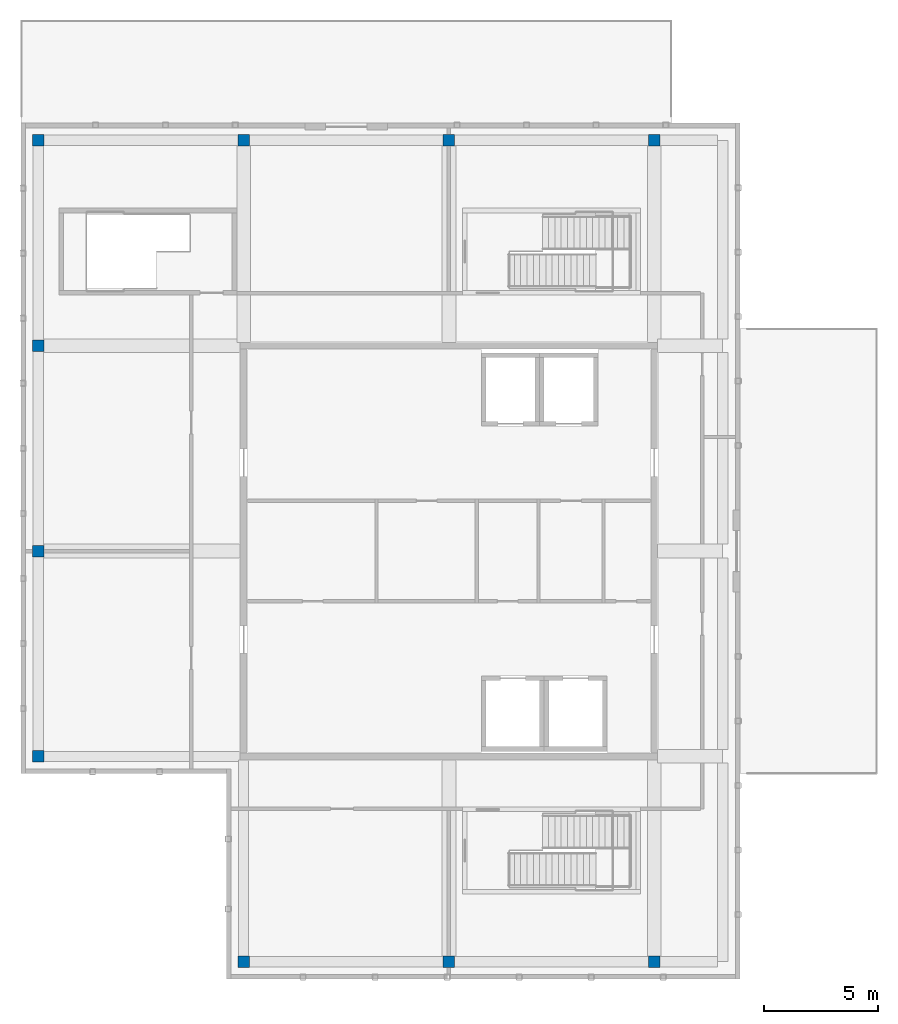
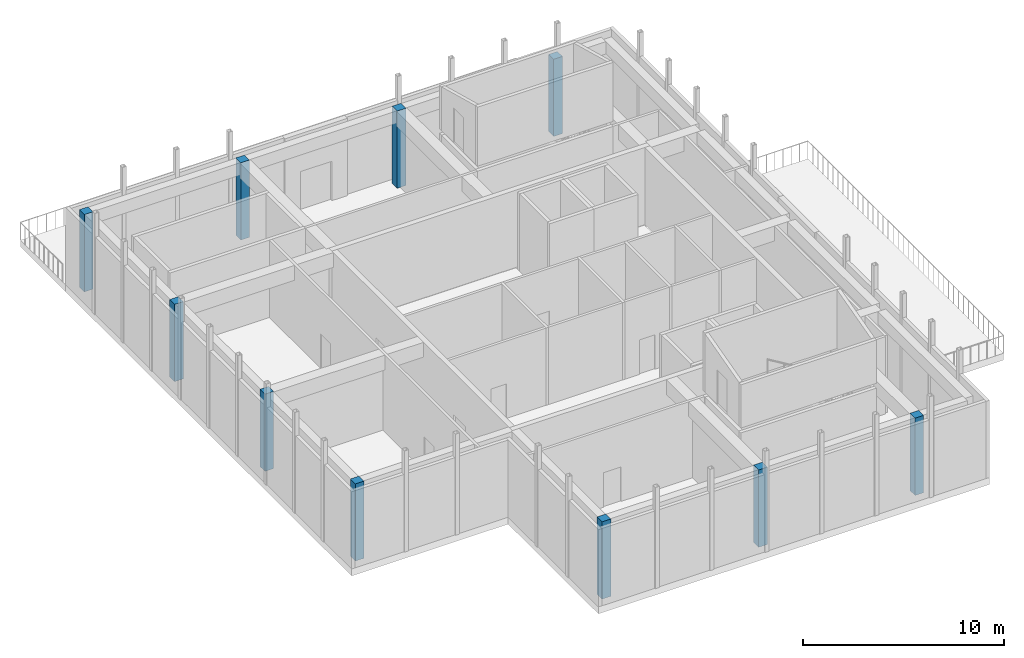
# One storey, part 1 of 11: 10 columns.
"""IFC4 building model written with IfcOpenShell, lengths in metres."""

from ifc_helpers import new_model, si_unit, direction, frame, origin, origin_2d, place, context, subcontext, project, spatial, rectangle, extrude, material, material_profile, profile_set, type_object, element, save


model = new_model("IFC4")

# Units and contexts
model_context = context("Model", 3, precision=1e-05, world=origin(), true_north=direction((0.0, 1.0)))
body_context = subcontext(model_context, "Body", "Model", "MODEL_VIEW")
ifc_project = project(units=[si_unit("LENGTHUNIT", "METRE"), si_unit("AREAUNIT", "SQUARE_METRE"), si_unit("VOLUMEUNIT", "CUBIC_METRE"), si_unit("PLANEANGLEUNIT", "RADIAN"), si_unit("MASSUNIT", "GRAM", prefix="KILO")], contexts=[model_context])

# Site, building, storey
site_placement = place(None, origin())
site = spatial("IfcSite", under=ifc_project, at=site_placement, CompositionType="ELEMENT")
building_placement = place(site_placement, origin())
building = spatial("IfcBuilding", under=site, at=building_placement, Name="Tuart Plaza Theatre", CompositionType="ELEMENT")
storey_placement = place(building_placement, frame((0.0, 0.0, 65.5)))
storey = spatial("IfcBuildingStorey", under=building, at=storey_placement, Name="L16", CompositionType="ELEMENT", Elevation=65.5)

# Columns
ifc_material = material(Name="Concrete N40 (40 MPa)", Category="concrete")
ifc_material_profile = material_profile(ifc_material, rectangle(XDim=0.5, YDim=0.5, at=origin_2d()), Name="COLUMN 500x500 Concrete N40 (40 MPa)")
ifc_profile_set = profile_set([ifc_material_profile], Name="Concrete N40 (40 MPa)")
column_type = type_object("IfcColumnType", Name="COLUMN 500x500 Concrete N40 (40 MPa)", PredefinedType="COLUMN", material=ifc_profile_set)
for number, where, z_axis, x_axis, name in (
    (1, (114.0, 65.0, 0.0), (0.0, 0.0, 1.0), (1.0, 0.0, 0.0), "C93"),
    (2, (114.0, 74.0, 0.0), (0.0, 0.0, 1.0), (1.0, 0.0, 0.0), "C94"),
    (3, (114.0, 83.0, 0.0), (0.0, 0.0, 1.0), (1.0, 0.0, 0.0), "C95"),
    (4, (114.0, 92.0, 0.0), (0.0, 0.0, 1.0), (1.0, 0.0, 0.0), "C96"),
    (5, (123.0, 56.0, 0.0), (0.0, 0.0, 1.0), (1.0, 0.0, 0.0), "C97"),
    (6, (123.0, 92.0, 0.0), (0.0, 0.0, 1.0), (1.0, 0.0, 0.0), "C98"),
    (7, (132.0, 56.0, 0.0), (0.0, 0.0, 1.0), (1.0, 0.0, 0.0), "C99"),
    (8, (132.0, 92.0, 0.0), (0.0, 0.0, 1.0), (1.0, 0.0, 0.0), "C100"),
    (9, (141.0, 56.0, 0.0), (0.0, 0.0, 1.0), (1.0, 0.0, 0.0), "C101"),
    (10, (141.0, 92.0, 0.0), (0.0, 0.0, 1.0), (1.0, 0.0, 0.0), "C102"),
):
    element("IfcColumn", number, at=place(storey_placement, frame(where, z_axis=z_axis, x_axis=x_axis)), inside=storey, type_object=column_type, Name=name, PredefinedType="COLUMN", context=body_context, shape_type="SweptSolid", body=[
        extrude(rectangle(XDim=0.5, YDim=0.5, at=origin_2d()), origin(), (0.0, 0.0, 1.0), 4.699951171875),
    ])

save(model, "model.ifc")
